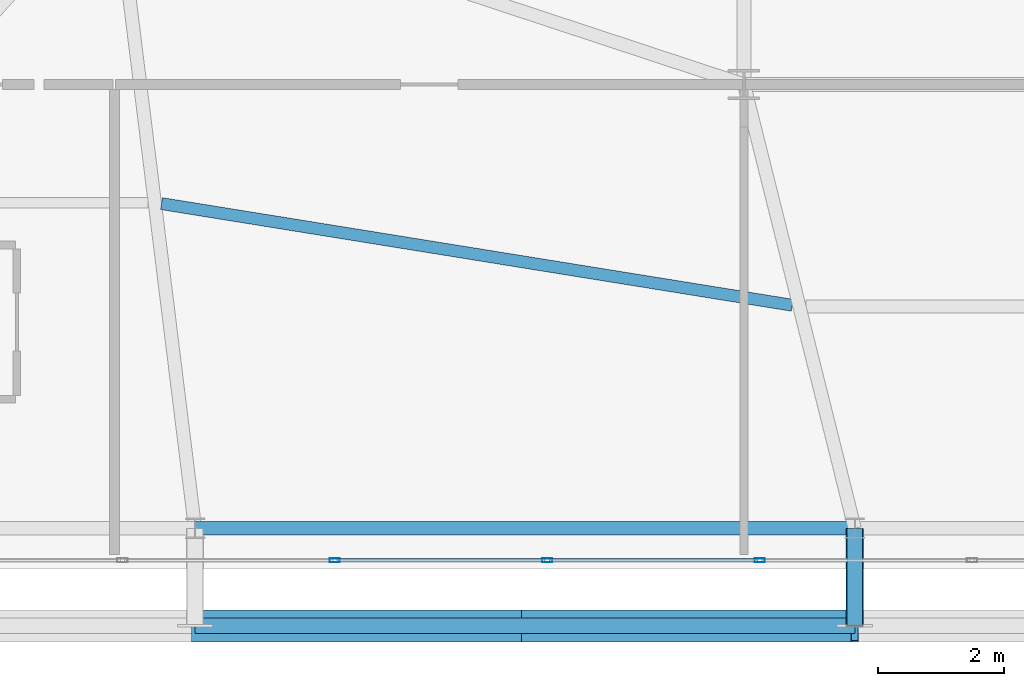
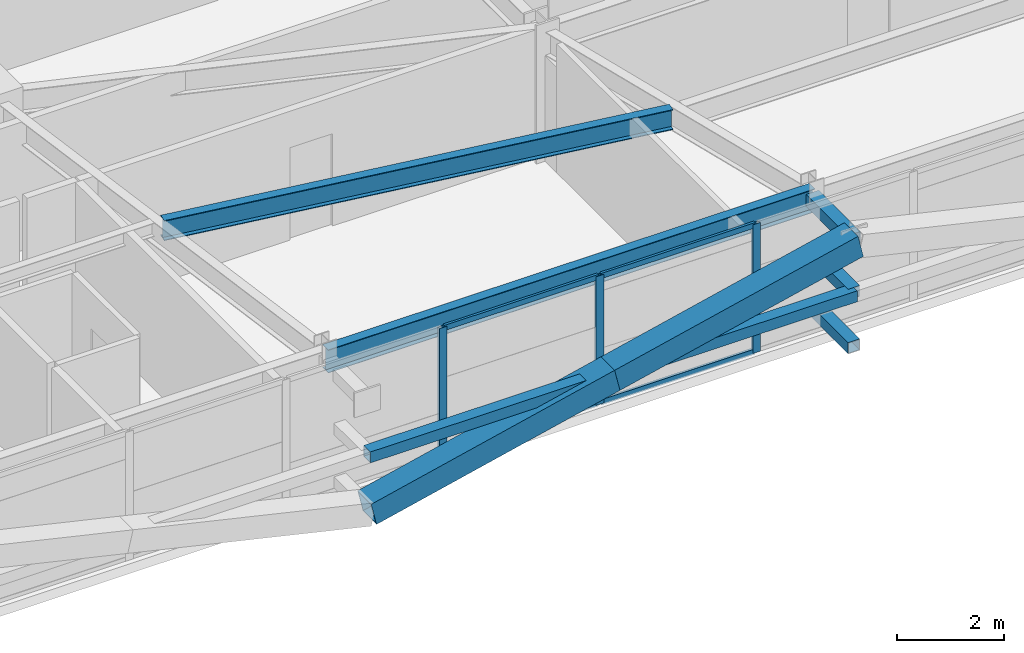
# One storey, part 11 of 59: 13 members, 2 beams, 1 element without a shape of its own.
"""IFC4 building model written with IfcOpenShell, lengths in metres."""

from ifc_helpers import new_model, si_unit, direction, frame, origin, origin_2d, place, context, subcontext, project, spatial, hollow_rectangle, i_section, extrude, source, transform, mapped, material, layer, layer_set, material_profile, profile_set, type_object, element, aggregate, save


model = new_model("IFC4")

# Units and contexts
model_context = context("Model", 3, precision=1e-05, world=origin(), true_north=direction((0.0, 1.0)))
body_context = subcontext(model_context, "Body", "Model", "MODEL_VIEW")
ifc_project = project(units=[si_unit("LENGTHUNIT", "METRE"), si_unit("AREAUNIT", "SQUARE_METRE"), si_unit("VOLUMEUNIT", "CUBIC_METRE"), si_unit("PLANEANGLEUNIT", "RADIAN"), si_unit("MASSUNIT", "GRAM", prefix="KILO")], contexts=[model_context])

# Site, building, storey
site_placement = place(None, origin())
site = spatial("IfcSite", under=ifc_project, at=site_placement, CompositionType="ELEMENT")
building_placement = place(site_placement, origin())
building = spatial("IfcBuilding", under=site, at=building_placement, Name="Taldren Reach Tower", CompositionType="ELEMENT")
storey_placement = place(building_placement, frame((0.0, 0.0, 26.25)))
storey = spatial("IfcBuildingStorey", under=building, at=storey_placement, Name="L07", CompositionType="ELEMENT", Elevation=26.25)

# Beams
ifc_material_1 = material(Name="Steel Gr 350 (350PLUS)", Category="steel")
ifc_material_profile_1 = material_profile(ifc_material_1, i_section(OverallWidth=0.208984375, OverallDepth=0.528076171875, WebThickness=0.009521484375, FlangeThickness=0.01318359375, at=origin_2d()), Name="530UB82.0")
ifc_profile_set_1 = profile_set([ifc_material_profile_1], Name="Steel Gr 350 (350PLUS)")
beam_type_1 = type_object("IfcBeamType", Name="SP-UB530B", PredefinedType="SPANDREL", material=ifc_profile_set_1)
shared_shape_1 = source(origin(), body_context, "Body", "SweptSolid", [
    extrude(i_section(OverallWidth=0.208984375, OverallDepth=0.528076171875, WebThickness=0.009521484375, FlangeThickness=0.01318359375, at=origin_2d()), origin(), (0.0, 0.0, 1.0), 10.47998046875),
])
beam_1_placement = place(storey_placement, frame((19.280029296875, 2.14990234375, 2.666015625), z_axis=(1.0, 0.0, 0.0), x_axis=(0.0, 1.0, 0.0)))
element("IfcBeam", 1, at=beam_1_placement, inside=storey, type_object=beam_type_1, Name="Perimeter spandrel B1 S2-S3 L07", PredefinedType="SPANDREL", context=body_context, shape_type="MappedRepresentation", body=[
    mapped(shared_shape_1, transform((0.0, 0.0, 0.0), scale=1.0)),
])
ifc_material_profile_2 = material_profile(ifc_material_1, i_section(OverallWidth=0.19091796875, OverallDepth=0.4599609375, WebThickness=0.010009765625, FlangeThickness=0.01611328125, at=origin_2d()), Name="460UB82.1")
ifc_profile_set_2 = profile_set([ifc_material_profile_2], Name="Steel Gr 350 (350PLUS)")
beam_type_2 = type_object("IfcBeamType", Name="BM-UB460A", PredefinedType="BEAM", material=ifc_profile_set_2)
shared_shape_2 = source(origin(), body_context, "Body", "SweptSolid", [
    extrude(i_section(OverallWidth=0.19091796875, OverallDepth=0.4599609375, WebThickness=0.010009765625, FlangeThickness=0.01611328125, at=origin_2d()), origin(), (0.0, 0.0, 1.0), 10.1494140625),
])
beam_2_placement = place(storey_placement, frame((18.74755859375, 7.3076171875, 2.699951171875), z_axis=(0.987266967452, -0.159072106224, 0.0), x_axis=(0.159072106224, 0.987266967452, 0.0)))
element("IfcBeam", 2, at=beam_2_placement, inside=storey, type_object=beam_type_2, Name="Secondary floor beam B1 J2 L07", PredefinedType="BEAM", context=body_context, shape_type="MappedRepresentation", body=[
    mapped(shared_shape_2, transform((0.0, 0.0, 0.0), scale=1.0)),
])

# Members
ifc_material_2 = material(Name="Steel Gr 450 (C450L0)", Category="steel")
ifc_material_profile_3 = material_profile(ifc_material_2, hollow_rectangle(XDim=0.27490234375, YDim=0.27490234375, WallThickness=0.00927734375, at=origin_2d()), Name="275x275x9.3SHS")
ifc_profile_set_3 = profile_set([ifc_material_profile_3], Name="Steel Gr 450 (C450L0)")
member_type_1 = type_object("IfcMemberType", Name="MB-TIE273", PredefinedType="STRUT", material=ifc_profile_set_3)
shared_shape_3 = source(origin(), body_context, "Body", "SweptSolid", [
    extrude(hollow_rectangle(XDim=0.27490234375, YDim=0.27490234375, WallThickness=0.00927734375, at=origin_2d()), origin(), (0.0, 0.0, 1.0), 1.5498046875),
])
member_1_placement = place(storey_placement, frame((29.760009765625, 2.14990234375, 2.64990234375), z_axis=(0.0, -1.0, 0.0), x_axis=(1.0, 0.0, 0.0)))
element("IfcMember", 3, at=member_1_placement, inside=storey, type_object=member_type_1, Name="Exoskeleton diaphragm tie strut B1-S3 L07", PredefinedType="STRUT", context=body_context, shape_type="MappedRepresentation", body=[
    mapped(shared_shape_3, transform((0.0, 0.0, 0.0), scale=1.0)),
])
ifc_material_profile_4 = material_profile(ifc_material_2, hollow_rectangle(XDim=0.510009765625, YDim=0.510009765625, WallThickness=0.02001953125, at=origin_2d()), Name="510x510x20.0SHS")
ifc_profile_set_4 = profile_set([ifc_material_profile_4], Name="Steel Gr 450 (C450L0)")
member_type_2 = type_object("IfcMemberType", Name="MB-EXO508", PredefinedType="BRACE", material=ifc_profile_set_4)
shared_shape_4 = source(origin(), body_context, "Body", "SweptSolid", [
    extrude(hollow_rectangle(XDim=0.510009765625, YDim=0.510009765625, WallThickness=0.02001953125, at=origin_2d()), origin(), (0.0, 0.0, 1.0), 5.37890625),
])
for number, where, z_axis, x_axis, name in (
    (4, (19.280029296875, 0.60009765625, 0.219970703125), (0.97415197996, 0.0, 0.225893603143), (0.0, 1.0, 0.0), "Exoskeleton Diagrid Brace B1-S2 L07"),
    (5, (24.52001953125, 0.60009765625, 1.43505859375), (0.974161966843, 0.0, 0.225850531007), (0.0, 1.0, 0.0), "Exoskeleton Diagrid Brace B1-S2 L07"),
):
    element("IfcMember", number, at=place(storey_placement, frame(where, z_axis=z_axis, x_axis=x_axis)), inside=storey, type_object=member_type_2, Name=name, PredefinedType="BRACE", context=body_context, shape_type="MappedRepresentation", body=[
        mapped(shared_shape_4, transform((0.0, 0.0, 0.0), scale=1.0)),
    ])
ifc_material_3 = material(Name="Steel Gr 350 (C350L0)", Category="steel")
ifc_material_profile_5 = material_profile(ifc_material_3, hollow_rectangle(XDim=0.25, YDim=0.25, WallThickness=0.010009765625, at=origin_2d()), Name="250x250x10.0SHS")
ifc_profile_set_5 = profile_set([ifc_material_profile_5], Name="Steel Gr 350 (C350L0)")
member_type_3 = type_object("IfcMemberType", Name="MB-POST250", PredefinedType="POST", material=ifc_profile_set_5)
shared_shape_5 = source(origin(), body_context, "Body", "SweptSolid", [
    extrude(hollow_rectangle(XDim=0.25, YDim=0.25, WallThickness=0.010009765625, at=origin_2d()), origin(), (0.0, 0.0, 1.0), 10.47998046875),
])
member_2_placement = place(storey_placement, frame((19.280029296875, 0.60009765625, 1.43505859375), z_axis=(1.0, 0.0, 0.0), x_axis=(0.0, 1.0, 0.0)))
element("IfcMember", 6, at=member_2_placement, inside=storey, type_object=member_type_3, Name="Exoskeleton mid-height ring chord B1-S2 L07", PredefinedType="POST", context=body_context, shape_type="MappedRepresentation", body=[
    mapped(shared_shape_5, transform((0.0, 0.0, 0.0), scale=1.0)),
])
shared_shape_6 = source(origin(), body_context, "Body", "SweptSolid", [
    extrude(hollow_rectangle(XDim=0.25, YDim=0.25, WallThickness=0.010009765625, at=origin_2d()), origin(), (0.0, 0.0, 1.0), 1.5498046875),
])
for number, where, z_axis, x_axis, name in (
    (7, (29.760009765625, 2.14990234375, 0.219970703125), (0.0, -1.0, 0.0), (1.0, 0.0, 0.0), "Exoskeleton base diaphragm tie strut B1-S3 L07"),
    (8, (29.760009765625, 2.14990234375, 1.43505859375), (0.0, -1.0, 0.0), (1.0, 0.0, 0.0), "Exoskeleton mid-tier diaphragm tie B1-S3 L07"),
):
    element("IfcMember", number, at=place(storey_placement, frame(where, z_axis=z_axis, x_axis=x_axis)), inside=storey, type_object=member_type_3, Name=name, PredefinedType="POST", context=body_context, shape_type="MappedRepresentation", body=[
        mapped(shared_shape_6, transform((0.0, 0.0, 0.0), scale=1.0)),
    ])

# Curtain wall, members
ifc_material_4 = material(Name="Aluminium and Low-E Glass Unitised System", Category="aluminium")
ifc_layer = layer(ifc_material_4, 0.159912109375)
ifc_layer_set = layer_set([ifc_layer], Name="Aluminium and Low-E Glass Unitised System")
curtain_wall_type = type_object("IfcCurtainWallType", Name="CW-SYS-2", PredefinedType="NOTDEFINED", material=ifc_layer_set)
curtain_wall_placement = place(storey_placement, origin())
curtain_wall = element("IfcCurtainWall", 9, at=curtain_wall_placement, inside=storey, type_object=curtain_wall_type, Name="Unitised curtain wall CW-L07-S", PredefinedType="NOTDEFINED")
ifc_material_5 = material(Name="Anodised Aluminium 6063-T6", Category="aluminium")
ifc_material_profile_6 = material_profile(ifc_material_5, hollow_rectangle(XDim=0.06494140625, YDim=0.1650390625, WallThickness=0.00390625, at=origin_2d()), Name="ALU-165x65x4RHS")
ifc_profile_set_6 = profile_set([ifc_material_profile_6], Name="Anodised Aluminium 6063-T6")
member_type_4 = type_object("IfcMemberType", Name="CW-MUL-165", PredefinedType="MULLION", material=ifc_profile_set_6)
shared_shape_7 = source(origin(), body_context, "Body", "SweptSolid", [
    extrude(hollow_rectangle(XDim=0.06494140625, YDim=0.1650390625, WallThickness=0.00390625, at=origin_2d()), origin(), (0.0, 0.0, 1.0), 2.929931640625),
])
member_3_placement = place(storey_placement, frame((21.5, 1.639892578125, 0.0), z_axis=(0.0, 0.0, 1.0), x_axis=(0.0, 1.0, 0.0)))
member_3 = element("IfcMember", 10, at=member_3_placement, type_object=member_type_4, Name="CW-2 mullion 5", PredefinedType="MULLION", context=body_context, shape_type="MappedRepresentation", body=[
    mapped(shared_shape_7, transform((0.0, 0.0, 0.0), scale=1.0)),
])
member_4_placement = place(storey_placement, frame((24.875, 1.639892578125, 0.0), z_axis=(0.0, 0.0, 1.0), x_axis=(0.0, 1.0, 0.0)))
member_4 = element("IfcMember", 11, at=member_4_placement, type_object=member_type_4, Name="CW-2 mullion 6", PredefinedType="MULLION", context=body_context, shape_type="MappedRepresentation", body=[
    mapped(shared_shape_7, transform((0.0, 0.0, 0.0), scale=1.0)),
])
member_5_placement = place(storey_placement, frame((28.25, 1.639892578125, 0.0), z_axis=(0.0, 0.0, 1.0), x_axis=(0.0, 1.0, 0.0)))
member_5 = element("IfcMember", 12, at=member_5_placement, type_object=member_type_4, Name="CW-2 mullion 7", PredefinedType="MULLION", context=body_context, shape_type="MappedRepresentation", body=[
    mapped(shared_shape_7, transform((0.0, 0.0, 0.0), scale=1.0)),
])
ifc_material_profile_7 = material_profile(ifc_material_5, hollow_rectangle(XDim=0.054931640625, YDim=0.1201171875, WallThickness=0.0029296875, at=origin_2d()), Name="ALU-120x55x3RHS")
ifc_profile_set_7 = profile_set([ifc_material_profile_7], Name="Anodised Aluminium 6063-T6")
member_type_5 = type_object("IfcMemberType", Name="CW-TRN-135", PredefinedType="USERDEFINED", material=ifc_profile_set_7)
shared_shape_8 = source(origin(), body_context, "Body", "SweptSolid", [
    extrude(hollow_rectangle(XDim=0.054931640625, YDim=0.1201171875, WallThickness=0.0029296875, at=origin_2d()), origin(), (0.0, 0.0, 1.0), 3.31005859375),
])
member_6_placement = place(storey_placement, frame((21.532470703125, 1.639892578125, 0.027587890625), z_axis=(1.0, 0.0, 0.0), x_axis=(0.0, 1.0, 0.0)))
member_6 = element("IfcMember", 13, at=member_6_placement, type_object=member_type_5, Name="CW-2 transom 5.1", ObjectType="TRANSOM", PredefinedType="USERDEFINED", context=body_context, shape_type="MappedRepresentation", body=[
    mapped(shared_shape_8, transform((0.0, 0.0, 0.0), scale=1.0)),
])
member_7_placement = place(storey_placement, frame((21.532470703125, 1.639892578125, 2.902587890625), z_axis=(1.0, 0.0, 0.0), x_axis=(0.0, 1.0, 0.0)))
member_7 = element("IfcMember", 14, at=member_7_placement, type_object=member_type_5, Name="CW-2 transom 5.2", ObjectType="TRANSOM", PredefinedType="USERDEFINED", context=body_context, shape_type="MappedRepresentation", body=[
    mapped(shared_shape_8, transform((0.0, 0.0, 0.0), scale=1.0)),
])
member_8_placement = place(storey_placement, frame((24.907470703125, 1.639892578125, 0.027587890625), z_axis=(1.0, 0.0, 0.0), x_axis=(0.0, 1.0, 0.0)))
member_8 = element("IfcMember", 15, at=member_8_placement, type_object=member_type_5, Name="CW-2 transom 6.1", ObjectType="TRANSOM", PredefinedType="USERDEFINED", context=body_context, shape_type="MappedRepresentation", body=[
    mapped(shared_shape_8, transform((0.0, 0.0, 0.0), scale=1.0)),
])
member_9_placement = place(storey_placement, frame((24.907470703125, 1.639892578125, 2.902587890625), z_axis=(1.0, 0.0, 0.0), x_axis=(0.0, 1.0, 0.0)))
member_9 = element("IfcMember", 16, at=member_9_placement, type_object=member_type_5, Name="CW-2 transom 6.2", ObjectType="TRANSOM", PredefinedType="USERDEFINED", context=body_context, shape_type="MappedRepresentation", body=[
    mapped(shared_shape_8, transform((0.0, 0.0, 0.0), scale=1.0)),
])
aggregate(curtain_wall, [member_3, member_4, member_5, member_6, member_7, member_8, member_9])

save(model, "model.ifc")
